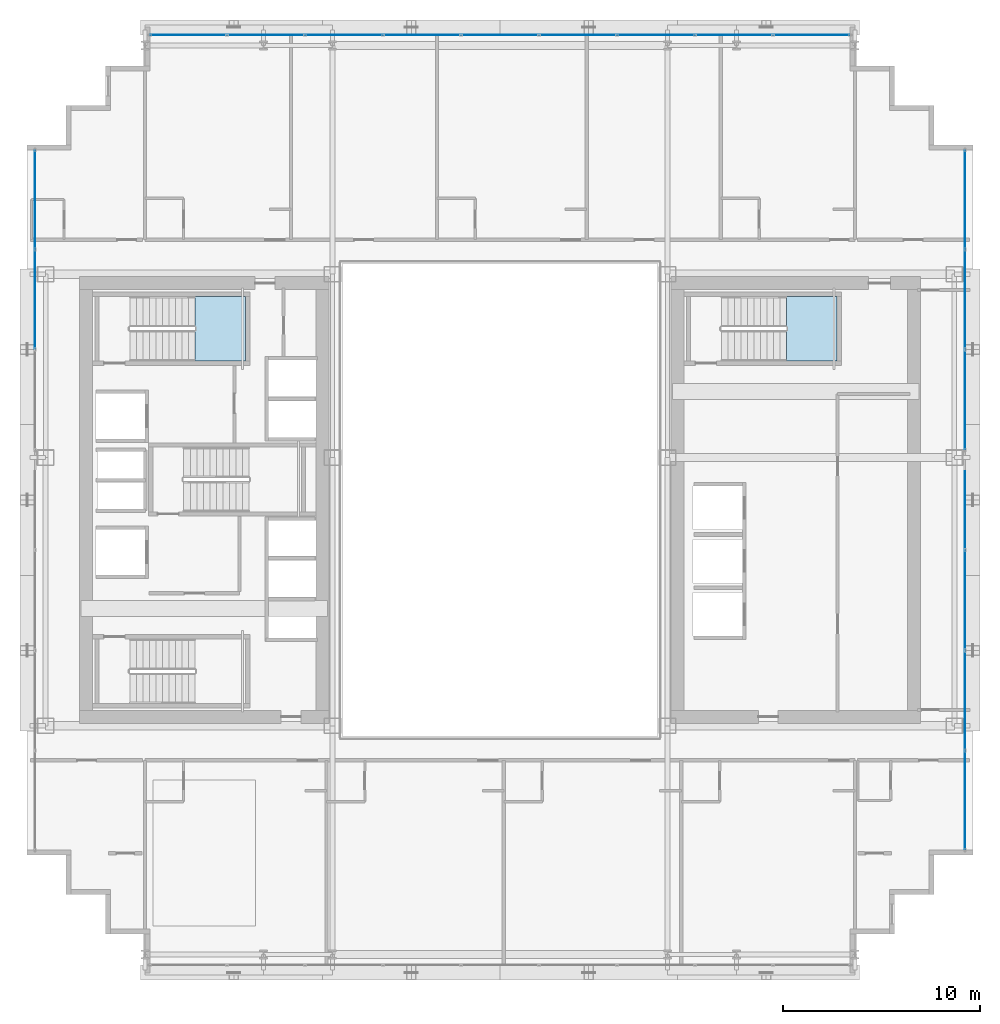
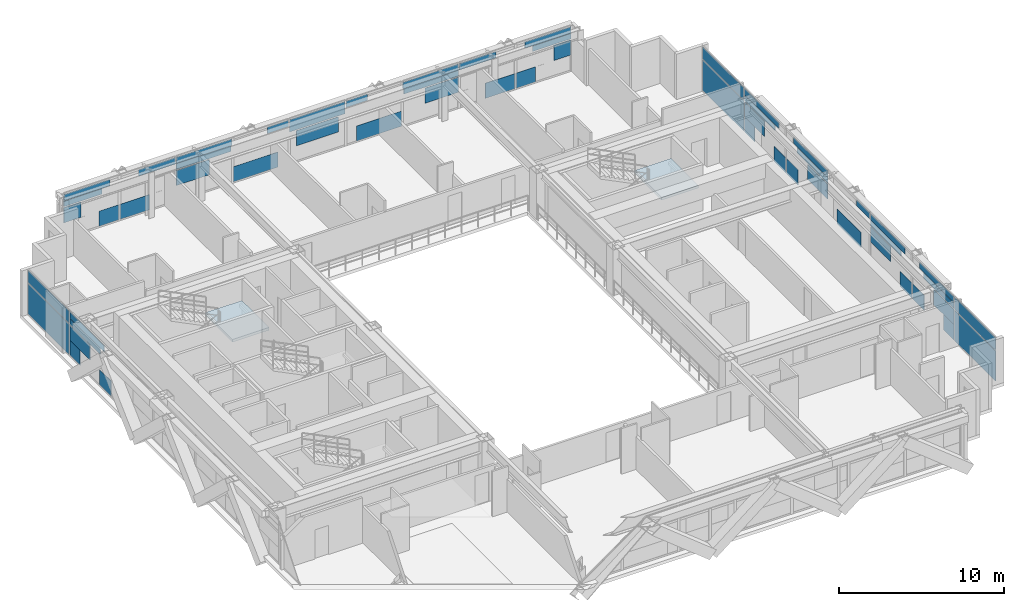
# One storey, part 24 of 34: 55 plates, 2 slabs, 5 elements without a shape of their own.
"""IFC4 building model written with IfcOpenShell, lengths in metres."""

from ifc_helpers import new_model, si_unit, direction, frame, origin, origin_2d, place, context, subcontext, project, spatial, polyline, rectangle, outline, extrude, source, transform, mapped, material, layer, layer_set, type_object, element, aggregate, save


model = new_model("IFC4")

# Units and contexts
model_context = context("Model", 3, precision=1e-05, world=origin(), true_north=direction((0.0, 1.0)))
body_context = subcontext(model_context, "Body", "Model", "MODEL_VIEW")
ifc_project = project(units=[si_unit("LENGTHUNIT", "METRE"), si_unit("AREAUNIT", "SQUARE_METRE"), si_unit("VOLUMEUNIT", "CUBIC_METRE"), si_unit("PLANEANGLEUNIT", "RADIAN"), si_unit("MASSUNIT", "GRAM", prefix="KILO")], contexts=[model_context])

# Site, building, storey
site_placement = place(None, origin())
site = spatial("IfcSite", under=ifc_project, at=site_placement, CompositionType="ELEMENT")
building_placement = place(site_placement, origin())
building = spatial("IfcBuilding", under=site, at=building_placement, Name="Ocotamira Hotel", CompositionType="ELEMENT")
storey_placement = place(building_placement, frame((0.0, 0.0, 111.60009765625)))
storey = spatial("IfcBuildingStorey", under=building, at=storey_placement, Name="L27", CompositionType="ELEMENT", Elevation=111.60009765625)

# Stair, slab
ifc_material_1 = material(Name="Concrete C40/50", Category="concrete")
stair_type = type_object("IfcStairType", Name="ST-CORE-1560", PredefinedType="HALF_TURN_STAIR", material=ifc_material_1)
stair_1_placement = place(storey_placement, origin())
stair_1 = element("IfcStair", 1, at=stair_1_placement, inside=storey, type_object=stair_type, Name="L27 Exit Stair ST-2", PredefinedType="HALF_TURN_STAIR")
ifc_layer_1 = layer(ifc_material_1, 0.199951171875)
ifc_layer_set_1 = layer_set([ifc_layer_1], Name="Concrete C40/50")
slab_type = type_object("IfcSlabType", Name="SLB-LAND-200", PredefinedType="LANDING", material=ifc_layer_set_1)
slab_1_placement = place(storey_placement, frame((0.0, 0.0, 1.599853515625)))
slab_1 = element("IfcSlab", 2, at=slab_1_placement, type_object=slab_type, Name="ST-2 landing 1", PredefinedType="LANDING", context=body_context, shape_type="SweptSolid", body=[
    extrude(outline(polyline([(16.530029296875, 33.050048828125), (19.090087890625, 33.050048828125), (19.090087890625, 36.330078125), (16.530029296875, 36.330078125), (16.530029296875, 33.050048828125)])), origin(), (0.0, 0.0, 1.0), 0.199951171875),
])
aggregate(stair_1, [slab_1])

stair_2_placement = place(storey_placement, origin())
stair_2 = element("IfcStair", 3, at=stair_2_placement, inside=storey, type_object=stair_type, Name="L27 Exit Stair ST-4", PredefinedType="HALF_TURN_STAIR")
slab_2_placement = place(storey_placement, frame((0.0, 0.0, 1.599853515625)))
slab_2 = element("IfcSlab", 4, at=slab_2_placement, type_object=slab_type, Name="ST-4 landing 1", PredefinedType="LANDING", context=body_context, shape_type="SweptSolid", body=[
    extrude(outline(polyline([(46.530029296875, 33.050048828125), (49.090087890625, 33.050048828125), (49.090087890625, 36.330078125), (46.530029296875, 36.330078125), (46.530029296875, 33.050048828125)])), origin(), (0.0, 0.0, 1.0), 0.199951171875),
])
aggregate(stair_2, [slab_2])

# Curtain wall, plate
ifc_material_2 = material(Name="Anodised pale-metal aluminium and solar glass", Category="aluminium")
ifc_layer_2 = layer(ifc_material_2, 0.179931640625)
ifc_layer_set_2 = layer_set([ifc_layer_2], Name="Anodised pale-metal aluminium and solar glass")
curtain_wall_type = type_object("IfcCurtainWallType", Name="CW-SYS3-Z2", PredefinedType="NOTDEFINED", material=ifc_layer_set_2)
curtain_wall_1_placement = place(storey_placement, origin())
curtain_wall_1 = element("IfcCurtainWall", 5, at=curtain_wall_1_placement, inside=storey, type_object=curtain_wall_type, Name="L27 Curtain Wall CW-3 CW-L27-W", PredefinedType="NOTDEFINED")
ifc_material_3 = material(Name="Double-silver low-E insulated solar glass", Category="glass")
ifc_layer_3 = layer(ifc_material_3, 0.031982421875)
ifc_layer_set_3 = layer_set([ifc_layer_3], Name="Double-silver low-E insulated solar glass")
plate_type = type_object("IfcPlateType", Name="CWP-VISION-32", PredefinedType="CURTAIN_PANEL", material=ifc_layer_set_3)
shared_shape_1 = source(origin(), body_context, "Body", "SweptSolid", [
    extrude(rectangle(XDim=4.9658203125, YDim=0.031982421875, at=origin_2d()), origin(), (0.0, 0.0, 1.0), 2.237548828125),
])
plate_1_placement = place(storey_placement, frame((8.419921875, 41.237060546875, 0.07470703125), z_axis=(0.0, 0.0, 1.0), x_axis=(0.0, 1.0, 0.0)))
plate_1 = element("IfcPlate", 6, at=plate_1_placement, type_object=plate_type, Name="CW-3 panel 7.1", PredefinedType="CURTAIN_PANEL", context=body_context, shape_type="MappedRepresentation", body=[
    mapped(shared_shape_1, transform((0.0, 0.0, 0.0), scale=1.0)),
])

# Curtain wall, plates
curtain_wall_2_placement = place(storey_placement, origin())
curtain_wall_2 = element("IfcCurtainWall", 7, at=curtain_wall_2_placement, inside=storey, type_object=curtain_wall_type, Name="L27 Curtain Wall CW-3 CW-L27-E", PredefinedType="NOTDEFINED")
plate_2_placement = place(storey_placement, frame((55.580078125, 10.762939453125, 0.07470703125), z_axis=(0.0, 0.0, 1.0), x_axis=(0.0, 1.0, 0.0)))
plate_2 = element("IfcPlate", 8, at=plate_2_placement, type_object=plate_type, Name="CW-3 panel 1.1", PredefinedType="CURTAIN_PANEL", context=body_context, shape_type="MappedRepresentation", body=[
    mapped(shared_shape_1, transform((0.0, 0.0, 0.0), scale=1.0)),
])
plate_3_placement = place(storey_placement, frame((55.580078125, 41.237060546875, 0.07470703125), z_axis=(0.0, 0.0, 1.0), x_axis=(0.0, 1.0, 0.0)))
plate_3 = element("IfcPlate", 9, at=plate_3_placement, type_object=plate_type, Name="CW-3 panel 7.1", PredefinedType="CURTAIN_PANEL", context=body_context, shape_type="MappedRepresentation", body=[
    mapped(shared_shape_1, transform((0.0, 0.0, 0.0), scale=1.0)),
])

curtain_wall_3_placement = place(storey_placement, origin())
curtain_wall_3 = element("IfcCurtainWall", 10, at=curtain_wall_3_placement, inside=storey, type_object=curtain_wall_type, Name="L27 Curtain Wall CW-3 CW-L27-N", PredefinedType="NOTDEFINED")
shared_shape_2 = source(origin(), body_context, "Body", "SweptSolid", [
    extrude(rectangle(XDim=2.676513671875, YDim=0.031982421875, at=origin_2d()), origin(), (0.0, 0.0, 1.0), 0.39453125),
])
plate_4_placement = place(storey_placement, frame((15.618408203125, 49.580078125, 2.387451171875), z_axis=(0.0, 0.0, 1.0), x_axis=(1.0, 0.0, 0.0)))
plate_4 = element("IfcPlate", 11, at=plate_4_placement, type_object=plate_type, Name="CW-3 panel 1.2.1", PredefinedType="CURTAIN_PANEL", context=body_context, shape_type="MappedRepresentation", body=[
    mapped(shared_shape_2, transform((0.0, 0.0, 0.0), scale=1.0)),
])
plate_5_placement = place(storey_placement, frame((48.381591796875, 49.580078125, 2.387451171875), z_axis=(0.0, 0.0, 1.0), x_axis=(1.0, 0.0, 0.0)))
plate_5 = element("IfcPlate", 12, at=plate_5_placement, type_object=plate_type, Name="CW-3 panel 9.2.2", PredefinedType="CURTAIN_PANEL", context=body_context, shape_type="MappedRepresentation", body=[
    mapped(shared_shape_2, transform((0.0, 0.0, 0.0), scale=1.0)),
])
shared_shape_3 = source(origin(), body_context, "Body", "SweptSolid", [
    extrude(rectangle(XDim=3.208740234375, YDim=0.031982421875, at=origin_2d()), origin(), (0.0, 0.0, 1.0), 0.4716796875),
])
plate_6_placement = place(storey_placement, frame((15.884521484375, 49.580078125, 2.813232421875), z_axis=(0.0, 0.0, 1.0), x_axis=(1.0, 0.0, 0.0)))
plate_6 = element("IfcPlate", 13, at=plate_6_placement, type_object=plate_type, Name="CW-3 panel 1.2.2", PredefinedType="CURTAIN_PANEL", context=body_context, shape_type="MappedRepresentation", body=[
    mapped(shared_shape_3, transform((0.0, 0.0, 0.0), scale=1.0)),
])
plate_7_placement = place(storey_placement, frame((48.115478515625, 49.580078125, 2.813232421875), z_axis=(0.0, 0.0, 1.0), x_axis=(1.0, 0.0, 0.0)))
plate_7 = element("IfcPlate", 14, at=plate_7_placement, type_object=plate_type, Name="CW-3 panel 9.2.1", PredefinedType="CURTAIN_PANEL", context=body_context, shape_type="MappedRepresentation", body=[
    mapped(shared_shape_3, transform((0.0, 0.0, 0.0), scale=1.0)),
])
shared_shape_4 = source(origin(), body_context, "Body", "SweptSolid", [
    extrude(rectangle(XDim=2.559814453125, YDim=0.031982421875, at=origin_2d()), origin(), (0.0, 0.0, 1.0), 0.4716796875),
])
plate_8_placement = place(storey_placement, frame((20.791259765625, 49.580078125, 2.813232421875), z_axis=(0.0, 0.0, 1.0), x_axis=(1.0, 0.0, 0.0)))
plate_8 = element("IfcPlate", 15, at=plate_8_placement, type_object=plate_type, Name="CW-3 panel 2.2.1", PredefinedType="CURTAIN_PANEL", context=body_context, shape_type="MappedRepresentation", body=[
    mapped(shared_shape_4, transform((0.0, 0.0, 0.0), scale=1.0)),
])
plate_9_placement = place(storey_placement, frame((43.208740234375, 49.580078125, 2.813232421875), z_axis=(0.0, 0.0, 1.0), x_axis=(1.0, 0.0, 0.0)))
plate_9 = element("IfcPlate", 16, at=plate_9_placement, type_object=plate_type, Name="CW-3 panel 8.2.1", PredefinedType="CURTAIN_PANEL", context=body_context, shape_type="MappedRepresentation", body=[
    mapped(shared_shape_4, transform((0.0, 0.0, 0.0), scale=1.0)),
])
shared_shape_5 = source(origin(), body_context, "Body", "SweptSolid", [
    extrude(rectangle(XDim=3.805419921875, YDim=0.031982421875, at=origin_2d()), origin(), (0.0, 0.0, 1.0), 0.42578125),
])
plate_10_placement = place(storey_placement, frame((24.0537109375, 49.580078125, 2.387451171875), z_axis=(0.0, 0.0, 1.0), x_axis=(1.0, 0.0, 0.0)))
plate_10 = element("IfcPlate", 17, at=plate_10_placement, type_object=plate_type, Name="CW-3 panel 3.2.1", PredefinedType="CURTAIN_PANEL", context=body_context, shape_type="MappedRepresentation", body=[
    mapped(shared_shape_5, transform((0.0, 0.0, 0.0), scale=1.0)),
])
plate_11_placement = place(storey_placement, frame((39.9462890625, 49.580078125, 2.387451171875), z_axis=(0.0, 0.0, 1.0), x_axis=(1.0, 0.0, 0.0)))
plate_11 = element("IfcPlate", 18, at=plate_11_placement, type_object=plate_type, Name="CW-3 panel 7.2.2", PredefinedType="CURTAIN_PANEL", context=body_context, shape_type="MappedRepresentation", body=[
    mapped(shared_shape_5, transform((0.0, 0.0, 0.0), scale=1.0)),
])
shared_shape_6 = source(origin(), body_context, "Body", "SweptSolid", [
    extrude(rectangle(XDim=3.87548828125, YDim=0.031982421875, at=origin_2d()), origin(), (0.0, 0.0, 1.0), 0.4716796875),
])
plate_12_placement = place(storey_placement, frame((24.0888671875, 49.580078125, 2.813232421875), z_axis=(0.0, 0.0, 1.0), x_axis=(1.0, 0.0, 0.0)))
plate_12 = element("IfcPlate", 19, at=plate_12_placement, type_object=plate_type, Name="CW-3 panel 3.2.2", PredefinedType="CURTAIN_PANEL", context=body_context, shape_type="MappedRepresentation", body=[
    mapped(shared_shape_6, transform((0.0, 0.0, 0.0), scale=1.0)),
])
plate_13_placement = place(storey_placement, frame((39.9111328125, 49.580078125, 2.813232421875), z_axis=(0.0, 0.0, 1.0), x_axis=(1.0, 0.0, 0.0)))
plate_13 = element("IfcPlate", 20, at=plate_13_placement, type_object=plate_type, Name="CW-3 panel 7.2.1", PredefinedType="CURTAIN_PANEL", context=body_context, shape_type="MappedRepresentation", body=[
    mapped(shared_shape_6, transform((0.0, 0.0, 0.0), scale=1.0)),
])
shared_shape_7 = source(origin(), body_context, "Body", "SweptSolid", [
    extrude(rectangle(XDim=1.470947265625, YDim=0.031982421875, at=origin_2d()), origin(), (0.0, 0.0, 1.0), 0.4716796875),
])
plate_14_placement = place(storey_placement, frame((29.24658203125, 49.580078125, 2.813232421875), z_axis=(0.0, 0.0, 1.0), x_axis=(1.0, 0.0, 0.0)))
plate_14 = element("IfcPlate", 21, at=plate_14_placement, type_object=plate_type, Name="CW-3 panel 4.2.1", PredefinedType="CURTAIN_PANEL", context=body_context, shape_type="MappedRepresentation", body=[
    mapped(shared_shape_7, transform((0.0, 0.0, 0.0), scale=1.0)),
])
plate_15_placement = place(storey_placement, frame((34.75341796875, 49.580078125, 2.813232421875), z_axis=(0.0, 0.0, 1.0), x_axis=(1.0, 0.0, 0.0)))
plate_15 = element("IfcPlate", 22, at=plate_15_placement, type_object=plate_type, Name="CW-3 panel 6.2.1", PredefinedType="CURTAIN_PANEL", context=body_context, shape_type="MappedRepresentation", body=[
    mapped(shared_shape_7, transform((0.0, 0.0, 0.0), scale=1.0)),
])
shared_shape_8 = source(origin(), body_context, "Body", "SweptSolid", [
    extrude(rectangle(XDim=3.87548828125, YDim=0.031982421875, at=origin_2d()), origin(), (0.0, 0.0, 1.0), 0.8974609375),
])
plate_16_placement = place(storey_placement, frame((32.0, 49.580078125, 2.387451171875), z_axis=(0.0, 0.0, 1.0), x_axis=(1.0, 0.0, 0.0)))
plate_16 = element("IfcPlate", 23, at=plate_16_placement, type_object=plate_type, Name="CW-3 panel 5.2", PredefinedType="CURTAIN_PANEL", context=body_context, shape_type="MappedRepresentation", body=[
    mapped(shared_shape_8, transform((0.0, 0.0, 0.0), scale=1.0)),
])

# Plate
shared_shape_9 = source(origin(), body_context, "Body", "SweptSolid", [
    extrude(rectangle(XDim=4.9658203125, YDim=0.031982421875, at=origin_2d()), origin(), (0.0, 0.0, 1.0), 0.8974609375),
])
plate_17_placement = place(storey_placement, frame((8.419921875, 41.237060546875, 2.387451171875), z_axis=(0.0, 0.0, 1.0), x_axis=(0.0, 1.0, 0.0)))
plate_17 = element("IfcPlate", 24, at=plate_17_placement, type_object=plate_type, Name="CW-3 panel 7.2", PredefinedType="CURTAIN_PANEL", context=body_context, shape_type="MappedRepresentation", body=[
    mapped(shared_shape_9, transform((0.0, 0.0, 0.0), scale=1.0)),
])

plate_18_placement = place(storey_placement, frame((55.580078125, 10.762939453125, 2.387451171875), z_axis=(0.0, 0.0, 1.0), x_axis=(0.0, 1.0, 0.0)))
plate_18 = element("IfcPlate", 25, at=plate_18_placement, type_object=plate_type, Name="CW-3 panel 1.2", PredefinedType="CURTAIN_PANEL", context=body_context, shape_type="MappedRepresentation", body=[
    mapped(shared_shape_9, transform((0.0, 0.0, 0.0), scale=1.0)),
])

plate_19_placement = place(storey_placement, frame((55.580078125, 41.237060546875, 2.387451171875), z_axis=(0.0, 0.0, 1.0), x_axis=(0.0, 1.0, 0.0)))
plate_19 = element("IfcPlate", 26, at=plate_19_placement, type_object=plate_type, Name="CW-3 panel 7.2", PredefinedType="CURTAIN_PANEL", context=body_context, shape_type="MappedRepresentation", body=[
    mapped(shared_shape_9, transform((0.0, 0.0, 0.0), scale=1.0)),
])

shared_shape_10 = source(origin(), body_context, "Body", "SweptSolid", [
    extrude(rectangle(XDim=3.69189453125, YDim=0.031982421875, at=origin_2d()), origin(), (0.0, 0.0, 1.0), 0.414306640625),
])
plate_20_placement = place(storey_placement, frame((8.419921875, 36.828369140625, 2.38720703125), z_axis=(0.0, 0.0, 1.0), x_axis=(0.0, 1.0, 0.0)))
plate_20 = element("IfcPlate", 27, at=plate_20_placement, type_object=plate_type, Name="CW-3 panel 6.2.2", PredefinedType="CURTAIN_PANEL", context=body_context, shape_type="MappedRepresentation", body=[
    mapped(shared_shape_10, transform((0.0, 0.0, 0.0), scale=1.0)),
])

plate_21_placement = place(storey_placement, frame((55.580078125, 15.171630859375, 2.38720703125), z_axis=(0.0, 0.0, 1.0), x_axis=(0.0, 1.0, 0.0)))
plate_21 = element("IfcPlate", 28, at=plate_21_placement, type_object=plate_type, Name="CW-3 panel 2.2.1", PredefinedType="CURTAIN_PANEL", context=body_context, shape_type="MappedRepresentation", body=[
    mapped(shared_shape_10, transform((0.0, 0.0, 0.0), scale=1.0)),
])

plate_22_placement = place(storey_placement, frame((55.580078125, 36.828369140625, 2.38720703125), z_axis=(0.0, 0.0, 1.0), x_axis=(0.0, 1.0, 0.0)))
plate_22 = element("IfcPlate", 29, at=plate_22_placement, type_object=plate_type, Name="CW-3 panel 6.2.2", PredefinedType="CURTAIN_PANEL", context=body_context, shape_type="MappedRepresentation", body=[
    mapped(shared_shape_10, transform((0.0, 0.0, 0.0), scale=1.0)),
])

shared_shape_11 = source(origin(), body_context, "Body", "SweptSolid", [
    extrude(rectangle(XDim=4.16748046875, YDim=0.031982421875, at=origin_2d()), origin(), (0.0, 0.0, 1.0), 0.44873046875),
])
plate_23_placement = place(storey_placement, frame((8.419921875, 36.590576171875, 2.836181640625), z_axis=(0.0, 0.0, 1.0), x_axis=(0.0, 1.0, 0.0)))
plate_23 = element("IfcPlate", 30, at=plate_23_placement, type_object=plate_type, Name="CW-3 panel 6.2.1", PredefinedType="CURTAIN_PANEL", context=body_context, shape_type="MappedRepresentation", body=[
    mapped(shared_shape_11, transform((0.0, 0.0, 0.0), scale=1.0)),
])

plate_24_placement = place(storey_placement, frame((55.580078125, 15.409423828125, 2.836181640625), z_axis=(0.0, 0.0, 1.0), x_axis=(0.0, 1.0, 0.0)))
plate_24 = element("IfcPlate", 31, at=plate_24_placement, type_object=plate_type, Name="CW-3 panel 2.2.2", PredefinedType="CURTAIN_PANEL", context=body_context, shape_type="MappedRepresentation", body=[
    mapped(shared_shape_11, transform((0.0, 0.0, 0.0), scale=1.0)),
])

plate_25_placement = place(storey_placement, frame((55.580078125, 36.590576171875, 2.836181640625), z_axis=(0.0, 0.0, 1.0), x_axis=(0.0, 1.0, 0.0)))
plate_25 = element("IfcPlate", 32, at=plate_25_placement, type_object=plate_type, Name="CW-3 panel 6.2.1", PredefinedType="CURTAIN_PANEL", context=body_context, shape_type="MappedRepresentation", body=[
    mapped(shared_shape_11, transform((0.0, 0.0, 0.0), scale=1.0)),
])

shared_shape_12 = source(origin(), body_context, "Body", "SweptSolid", [
    extrude(rectangle(XDim=4.17724609375, YDim=0.031982421875, at=origin_2d()), origin(), (0.0, 0.0, 1.0), 0.44873046875),
])
plate_26_placement = place(storey_placement, frame((55.580078125, 21.32861328125, 2.836181640625), z_axis=(0.0, 0.0, 1.0), x_axis=(0.0, 1.0, 0.0)))
plate_26 = element("IfcPlate", 33, at=plate_26_placement, type_object=plate_type, Name="CW-3 panel 3.2.1", PredefinedType="CURTAIN_PANEL", context=body_context, shape_type="MappedRepresentation", body=[
    mapped(shared_shape_12, transform((0.0, 0.0, 0.0), scale=1.0)),
])

plate_27_placement = place(storey_placement, frame((55.580078125, 30.67138671875, 2.836181640625), z_axis=(0.0, 0.0, 1.0), x_axis=(0.0, 1.0, 0.0)))
plate_27 = element("IfcPlate", 34, at=plate_27_placement, type_object=plate_type, Name="CW-3 panel 5.2.2", PredefinedType="CURTAIN_PANEL", context=body_context, shape_type="MappedRepresentation", body=[
    mapped(shared_shape_12, transform((0.0, 0.0, 0.0), scale=1.0)),
])

shared_shape_13 = source(origin(), body_context, "Body", "SweptSolid", [
    extrude(rectangle(XDim=3.70166015625, YDim=0.031982421875, at=origin_2d()), origin(), (0.0, 0.0, 1.0), 0.414306640625),
])
plate_28_placement = place(storey_placement, frame((55.580078125, 21.56640625, 2.38720703125), z_axis=(0.0, 0.0, 1.0), x_axis=(0.0, 1.0, 0.0)))
plate_28 = element("IfcPlate", 35, at=plate_28_placement, type_object=plate_type, Name="CW-3 panel 3.2.2", PredefinedType="CURTAIN_PANEL", context=body_context, shape_type="MappedRepresentation", body=[
    mapped(shared_shape_13, transform((0.0, 0.0, 0.0), scale=1.0)),
])

plate_29_placement = place(storey_placement, frame((55.580078125, 30.43359375, 2.38720703125), z_axis=(0.0, 0.0, 1.0), x_axis=(0.0, 1.0, 0.0)))
plate_29 = element("IfcPlate", 36, at=plate_29_placement, type_object=plate_type, Name="CW-3 panel 5.2.1", PredefinedType="CURTAIN_PANEL", context=body_context, shape_type="MappedRepresentation", body=[
    mapped(shared_shape_13, transform((0.0, 0.0, 0.0), scale=1.0)),
])

shared_shape_14 = source(origin(), body_context, "Body", "SweptSolid", [
    extrude(rectangle(XDim=1.629638671875, YDim=0.031982421875, at=origin_2d()), origin(), (0.0, 0.0, 1.0), 0.44873046875),
])
plate_30_placement = place(storey_placement, frame((55.580078125, 24.31201171875, 2.836181640625), z_axis=(0.0, 0.0, 1.0), x_axis=(0.0, 1.0, 0.0)))
plate_30 = element("IfcPlate", 37, at=plate_30_placement, type_object=plate_type, Name="CW-3 panel 4.2.1", PredefinedType="CURTAIN_PANEL", context=body_context, shape_type="MappedRepresentation", body=[
    mapped(shared_shape_14, transform((0.0, 0.0, 0.0), scale=1.0)),
])

shared_shape_15 = source(origin(), body_context, "Body", "SweptSolid", [
    extrude(rectangle(XDim=2.404296875, YDim=0.031982421875, at=origin_2d()), origin(), (0.0, 0.0, 1.0), 1.11865234375),
])
plate_31_placement = place(storey_placement, frame((55.580078125, 22.183349609375, 1.193603515625), z_axis=(0.0, 0.0, 1.0), x_axis=(0.0, 1.0, 0.0)))
plate_31 = element("IfcPlate", 38, at=plate_31_placement, type_object=plate_type, Name="CW-3 panel 3.1.2", PredefinedType="CURTAIN_PANEL", context=body_context, shape_type="MappedRepresentation", body=[
    mapped(shared_shape_15, transform((0.0, 0.0, 0.0), scale=1.0)),
])

plate_32_placement = place(storey_placement, frame((55.580078125, 29.816650390625, 1.193603515625), z_axis=(0.0, 0.0, 1.0), x_axis=(0.0, 1.0, 0.0)))
plate_32 = element("IfcPlate", 39, at=plate_32_placement, type_object=plate_type, Name="CW-3 panel 5.1.1", PredefinedType="CURTAIN_PANEL", context=body_context, shape_type="MappedRepresentation", body=[
    mapped(shared_shape_15, transform((0.0, 0.0, 0.0), scale=1.0)),
])

shared_shape_16 = source(origin(), body_context, "Body", "SweptSolid", [
    extrude(rectangle(XDim=1.37060546875, YDim=0.031982421875, at=origin_2d()), origin(), (0.0, 0.0, 1.0), 1.118896484375),
])
plate_33_placement = place(storey_placement, frame((17.430419921875, 49.580078125, 0.07470703125), z_axis=(0.0, 0.0, 1.0), x_axis=(1.0, 0.0, 0.0)))
plate_33 = element("IfcPlate", 40, at=plate_33_placement, type_object=plate_type, Name="CW-3 panel 1.1.2", PredefinedType="CURTAIN_PANEL", context=body_context, shape_type="MappedRepresentation", body=[
    mapped(shared_shape_16, transform((0.0, 0.0, 0.0), scale=1.0)),
])

plate_34_placement = place(storey_placement, frame((46.569580078125, 49.580078125, 0.07470703125), z_axis=(0.0, 0.0, 1.0), x_axis=(1.0, 0.0, 0.0)))
plate_34 = element("IfcPlate", 41, at=plate_34_placement, type_object=plate_type, Name="CW-3 panel 9.1.1", PredefinedType="CURTAIN_PANEL", context=body_context, shape_type="MappedRepresentation", body=[
    mapped(shared_shape_16, transform((0.0, 0.0, 0.0), scale=1.0)),
])

shared_shape_17 = source(origin(), body_context, "Body", "SweptSolid", [
    extrude(rectangle(XDim=2.059326171875, YDim=0.031982421875, at=origin_2d()), origin(), (0.0, 0.0, 1.0), 1.118896484375),
])
plate_35_placement = place(storey_placement, frame((19.225341796875, 49.580078125, 0.07470703125), z_axis=(0.0, 0.0, 1.0), x_axis=(1.0, 0.0, 0.0)))
plate_35 = element("IfcPlate", 42, at=plate_35_placement, type_object=plate_type, Name="CW-3 panel 2.1.1", PredefinedType="CURTAIN_PANEL", context=body_context, shape_type="MappedRepresentation", body=[
    mapped(shared_shape_17, transform((0.0, 0.0, 0.0), scale=1.0)),
])

plate_36_placement = place(storey_placement, frame((44.774658203125, 49.580078125, 0.07470703125), z_axis=(0.0, 0.0, 1.0), x_axis=(1.0, 0.0, 0.0)))
plate_36 = element("IfcPlate", 43, at=plate_36_placement, type_object=plate_type, Name="CW-3 panel 8.1.1", PredefinedType="CURTAIN_PANEL", context=body_context, shape_type="MappedRepresentation", body=[
    mapped(shared_shape_17, transform((0.0, 0.0, 0.0), scale=1.0)),
])

shared_shape_18 = source(origin(), body_context, "Body", "SweptSolid", [
    extrude(rectangle(XDim=3.148193359375, YDim=0.031982421875, at=origin_2d()), origin(), (0.0, 0.0, 1.0), 1.118896484375),
])
plate_37_placement = place(storey_placement, frame((27.680908203125, 49.580078125, 0.07470703125), z_axis=(0.0, 0.0, 1.0), x_axis=(1.0, 0.0, 0.0)))
plate_37 = element("IfcPlate", 44, at=plate_37_placement, type_object=plate_type, Name="CW-3 panel 4.1.1", PredefinedType="CURTAIN_PANEL", context=body_context, shape_type="MappedRepresentation", body=[
    mapped(shared_shape_18, transform((0.0, 0.0, 0.0), scale=1.0)),
])

plate_38_placement = place(storey_placement, frame((36.319091796875, 49.580078125, 0.07470703125), z_axis=(0.0, 0.0, 1.0), x_axis=(1.0, 0.0, 0.0)))
plate_38 = element("IfcPlate", 45, at=plate_38_placement, type_object=plate_type, Name="CW-3 panel 6.1.1", PredefinedType="CURTAIN_PANEL", context=body_context, shape_type="MappedRepresentation", body=[
    mapped(shared_shape_18, transform((0.0, 0.0, 0.0), scale=1.0)),
])

shared_shape_19 = source(origin(), body_context, "Body", "SweptSolid", [
    extrude(rectangle(XDim=1.240234375, YDim=0.031982421875, at=origin_2d()), origin(), (0.0, 0.0, 1.0), 1.118896484375),
])
plate_39_placement = place(storey_placement, frame((8.419921875, 38.05419921875, 0.07470703125), z_axis=(0.0, 0.0, 1.0), x_axis=(0.0, 1.0, 0.0)))
plate_39 = element("IfcPlate", 46, at=plate_39_placement, type_object=plate_type, Name="CW-3 panel 6.1.3", PredefinedType="CURTAIN_PANEL", context=body_context, shape_type="MappedRepresentation", body=[
    mapped(shared_shape_19, transform((0.0, 0.0, 0.0), scale=1.0)),
])

plate_40_placement = place(storey_placement, frame((55.580078125, 13.94580078125, 0.07470703125), z_axis=(0.0, 0.0, 1.0), x_axis=(0.0, 1.0, 0.0)))
plate_40 = element("IfcPlate", 47, at=plate_40_placement, type_object=plate_type, Name="CW-3 panel 2.1.1", PredefinedType="CURTAIN_PANEL", context=body_context, shape_type="MappedRepresentation", body=[
    mapped(shared_shape_19, transform((0.0, 0.0, 0.0), scale=1.0)),
])

plate_41_placement = place(storey_placement, frame((55.580078125, 38.05419921875, 0.07470703125), z_axis=(0.0, 0.0, 1.0), x_axis=(0.0, 1.0, 0.0)))
plate_41 = element("IfcPlate", 48, at=plate_41_placement, type_object=plate_type, Name="CW-3 panel 6.1.3", PredefinedType="CURTAIN_PANEL", context=body_context, shape_type="MappedRepresentation", body=[
    mapped(shared_shape_19, transform((0.0, 0.0, 0.0), scale=1.0)),
])

shared_shape_20 = source(origin(), body_context, "Body", "SweptSolid", [
    extrude(rectangle(XDim=1.413330078125, YDim=0.031982421875, at=origin_2d()), origin(), (0.0, 0.0, 1.0), 1.118896484375),
])
plate_42_placement = place(storey_placement, frame((8.419921875, 34.375244140625, 0.07470703125), z_axis=(0.0, 0.0, 1.0), x_axis=(0.0, 1.0, 0.0)))
plate_42 = element("IfcPlate", 49, at=plate_42_placement, type_object=plate_type, Name="CW-3 panel 6.1.1", PredefinedType="CURTAIN_PANEL", context=body_context, shape_type="MappedRepresentation", body=[
    mapped(shared_shape_20, transform((0.0, 0.0, 0.0), scale=1.0)),
])

plate_43_placement = place(storey_placement, frame((55.580078125, 17.624755859375, 0.07470703125), z_axis=(0.0, 0.0, 1.0), x_axis=(0.0, 1.0, 0.0)))
plate_43 = element("IfcPlate", 50, at=plate_43_placement, type_object=plate_type, Name="CW-3 panel 2.1.3", PredefinedType="CURTAIN_PANEL", context=body_context, shape_type="MappedRepresentation", body=[
    mapped(shared_shape_20, transform((0.0, 0.0, 0.0), scale=1.0)),
])

plate_44_placement = place(storey_placement, frame((55.580078125, 34.375244140625, 0.07470703125), z_axis=(0.0, 0.0, 1.0), x_axis=(0.0, 1.0, 0.0)))
plate_44 = element("IfcPlate", 51, at=plate_44_placement, type_object=plate_type, Name="CW-3 panel 6.1.1", PredefinedType="CURTAIN_PANEL", context=body_context, shape_type="MappedRepresentation", body=[
    mapped(shared_shape_20, transform((0.0, 0.0, 0.0), scale=1.0)),
])

shared_shape_21 = source(origin(), body_context, "Body", "SweptSolid", [
    extrude(rectangle(XDim=1.40380859375, YDim=0.031982421875, at=origin_2d()), origin(), (0.0, 0.0, 1.0), 1.118896484375),
])
plate_45_placement = place(storey_placement, frame((55.580078125, 19.11328125, 0.07470703125), z_axis=(0.0, 0.0, 1.0), x_axis=(0.0, 1.0, 0.0)))
plate_45 = element("IfcPlate", 52, at=plate_45_placement, type_object=plate_type, Name="CW-3 panel 3.1.1", PredefinedType="CURTAIN_PANEL", context=body_context, shape_type="MappedRepresentation", body=[
    mapped(shared_shape_21, transform((0.0, 0.0, 0.0), scale=1.0)),
])

plate_46_placement = place(storey_placement, frame((55.580078125, 32.88671875, 0.07470703125), z_axis=(0.0, 0.0, 1.0), x_axis=(0.0, 1.0, 0.0)))
plate_46 = element("IfcPlate", 53, at=plate_46_placement, type_object=plate_type, Name="CW-3 panel 5.1.2", PredefinedType="CURTAIN_PANEL", context=body_context, shape_type="MappedRepresentation", body=[
    mapped(shared_shape_21, transform((0.0, 0.0, 0.0), scale=1.0)),
])

shared_shape_22 = source(origin(), body_context, "Body", "SweptSolid", [
    extrude(rectangle(XDim=2.897216796875, YDim=0.031982421875, at=origin_2d()), origin(), (0.0, 0.0, 1.0), 1.118896484375),
])
plate_47_placement = place(storey_placement, frame((55.580078125, 26.0, 0.07470703125), z_axis=(0.0, 0.0, 1.0), x_axis=(0.0, 1.0, 0.0)))
plate_47 = element("IfcPlate", 54, at=plate_47_placement, type_object=plate_type, Name="CW-3 panel 4.1.1", PredefinedType="CURTAIN_PANEL", context=body_context, shape_type="MappedRepresentation", body=[
    mapped(shared_shape_22, transform((0.0, 0.0, 0.0), scale=1.0)),
])

shared_shape_23 = source(origin(), body_context, "Body", "SweptSolid", [
    extrude(rectangle(XDim=1.184326171875, YDim=0.031982421875, at=origin_2d()), origin(), (0.0, 0.0, 1.0), 1.11865234375),
])
plate_48_placement = place(storey_placement, frame((14.872314453125, 49.580078125, 1.193603515625), z_axis=(0.0, 0.0, 1.0), x_axis=(1.0, 0.0, 0.0)))
plate_48 = element("IfcPlate", 55, at=plate_48_placement, type_object=plate_type, Name="CW-3 panel 1.1.1", PredefinedType="CURTAIN_PANEL", context=body_context, shape_type="MappedRepresentation", body=[
    mapped(shared_shape_23, transform((0.0, 0.0, 0.0), scale=1.0)),
])

plate_49_placement = place(storey_placement, frame((49.127685546875, 49.580078125, 1.193603515625), z_axis=(0.0, 0.0, 1.0), x_axis=(1.0, 0.0, 0.0)))
plate_49 = element("IfcPlate", 56, at=plate_49_placement, type_object=plate_type, Name="CW-3 panel 9.1.2", PredefinedType="CURTAIN_PANEL", context=body_context, shape_type="MappedRepresentation", body=[
    mapped(shared_shape_23, transform((0.0, 0.0, 0.0), scale=1.0)),
])

shared_shape_24 = source(origin(), body_context, "Body", "SweptSolid", [
    extrude(rectangle(XDim=2.313232421875, YDim=0.031982421875, at=origin_2d()), origin(), (0.0, 0.0, 1.0), 1.11865234375),
])
plate_50_placement = place(storey_placement, frame((23.3076171875, 49.580078125, 1.193603515625), z_axis=(0.0, 0.0, 1.0), x_axis=(1.0, 0.0, 0.0)))
plate_50 = element("IfcPlate", 57, at=plate_50_placement, type_object=plate_type, Name="CW-3 panel 3.1.1", PredefinedType="CURTAIN_PANEL", context=body_context, shape_type="MappedRepresentation", body=[
    mapped(shared_shape_24, transform((0.0, 0.0, 0.0), scale=1.0)),
])

plate_51_placement = place(storey_placement, frame((40.6923828125, 49.580078125, 1.193603515625), z_axis=(0.0, 0.0, 1.0), x_axis=(1.0, 0.0, 0.0)))
plate_51 = element("IfcPlate", 58, at=plate_51_placement, type_object=plate_type, Name="CW-3 panel 7.1.1", PredefinedType="CURTAIN_PANEL", context=body_context, shape_type="MappedRepresentation", body=[
    mapped(shared_shape_24, transform((0.0, 0.0, 0.0), scale=1.0)),
])

shared_shape_25 = source(origin(), body_context, "Body", "SweptSolid", [
    extrude(rectangle(XDim=2.9287109375, YDim=0.031982421875, at=origin_2d()), origin(), (0.0, 0.0, 1.0), 1.11865234375),
])
plate_52_placement = place(storey_placement, frame((32.0, 49.580078125, 1.193603515625), z_axis=(0.0, 0.0, 1.0), x_axis=(1.0, 0.0, 0.0)))
plate_52 = element("IfcPlate", 59, at=plate_52_placement, type_object=plate_type, Name="CW-3 panel 5.1.1", PredefinedType="CURTAIN_PANEL", context=body_context, shape_type="MappedRepresentation", body=[
    mapped(shared_shape_25, transform((0.0, 0.0, 0.0), scale=1.0)),
])

aggregate(curtain_wall_3, [plate_48, plate_33, plate_4, plate_6, plate_35, plate_8, plate_50, plate_10, plate_12, plate_37, plate_14, plate_52, plate_16, plate_38, plate_15, plate_51, plate_13, plate_11, plate_36, plate_9, plate_34, plate_49, plate_7, plate_5])

shared_shape_26 = source(origin(), body_context, "Body", "SweptSolid", [
    extrude(rectangle(XDim=2.426513671875, YDim=0.031982421875, at=origin_2d()), origin(), (0.0, 0.0, 1.0), 1.11865234375),
])
plate_53_placement = place(storey_placement, frame((8.419921875, 37.461181640625, 1.193603515625), z_axis=(0.0, 0.0, 1.0), x_axis=(0.0, 1.0, 0.0)))
plate_53 = element("IfcPlate", 60, at=plate_53_placement, type_object=plate_type, Name="CW-3 panel 6.1.2", PredefinedType="CURTAIN_PANEL", context=body_context, shape_type="MappedRepresentation", body=[
    mapped(shared_shape_26, transform((0.0, 0.0, 0.0), scale=1.0)),
])

aggregate(curtain_wall_1, [plate_42, plate_53, plate_39, plate_23, plate_20, plate_1, plate_17])

plate_54_placement = place(storey_placement, frame((55.580078125, 14.538818359375, 1.193603515625), z_axis=(0.0, 0.0, 1.0), x_axis=(0.0, 1.0, 0.0)))
plate_54 = element("IfcPlate", 61, at=plate_54_placement, type_object=plate_type, Name="CW-3 panel 2.1.2", PredefinedType="CURTAIN_PANEL", context=body_context, shape_type="MappedRepresentation", body=[
    mapped(shared_shape_26, transform((0.0, 0.0, 0.0), scale=1.0)),
])

plate_55_placement = place(storey_placement, frame((55.580078125, 37.461181640625, 1.193603515625), z_axis=(0.0, 0.0, 1.0), x_axis=(0.0, 1.0, 0.0)))
plate_55 = element("IfcPlate", 62, at=plate_55_placement, type_object=plate_type, Name="CW-3 panel 6.1.2", PredefinedType="CURTAIN_PANEL", context=body_context, shape_type="MappedRepresentation", body=[
    mapped(shared_shape_26, transform((0.0, 0.0, 0.0), scale=1.0)),
])

aggregate(curtain_wall_2, [plate_2, plate_18, plate_40, plate_54, plate_43, plate_21, plate_24, plate_45, plate_31, plate_26, plate_28, plate_47, plate_30, plate_32, plate_46, plate_29, plate_27, plate_44, plate_55, plate_41, plate_25, plate_22, plate_3, plate_19])

save(model, "model.ifc")
